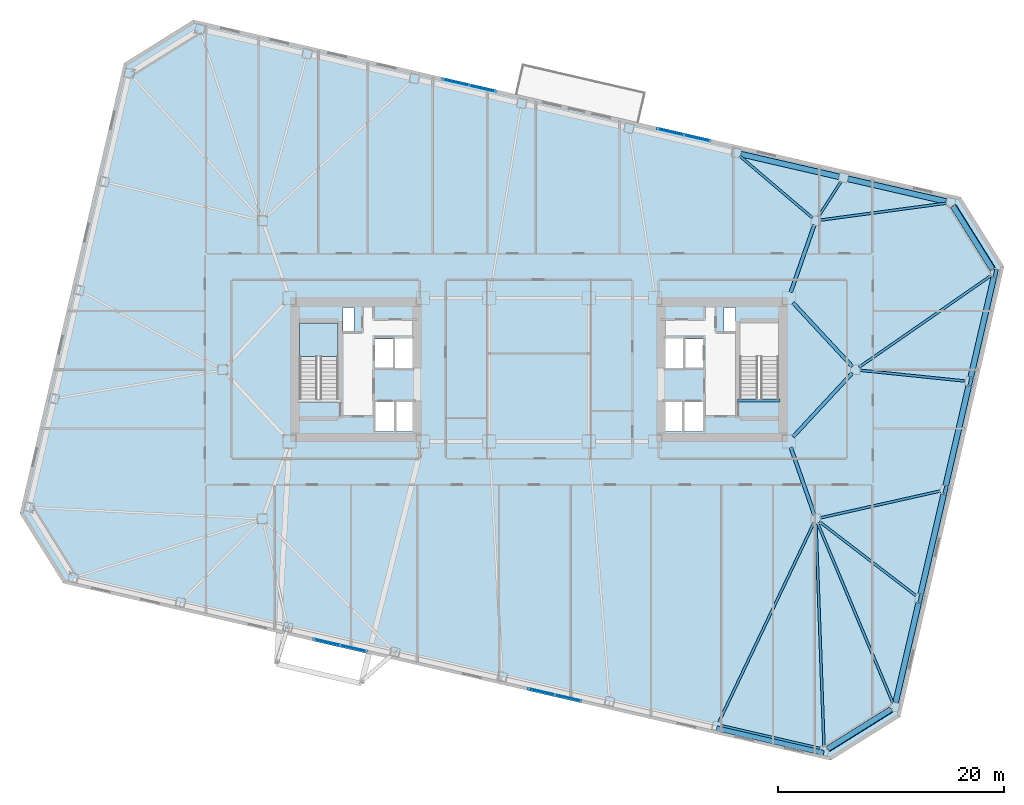
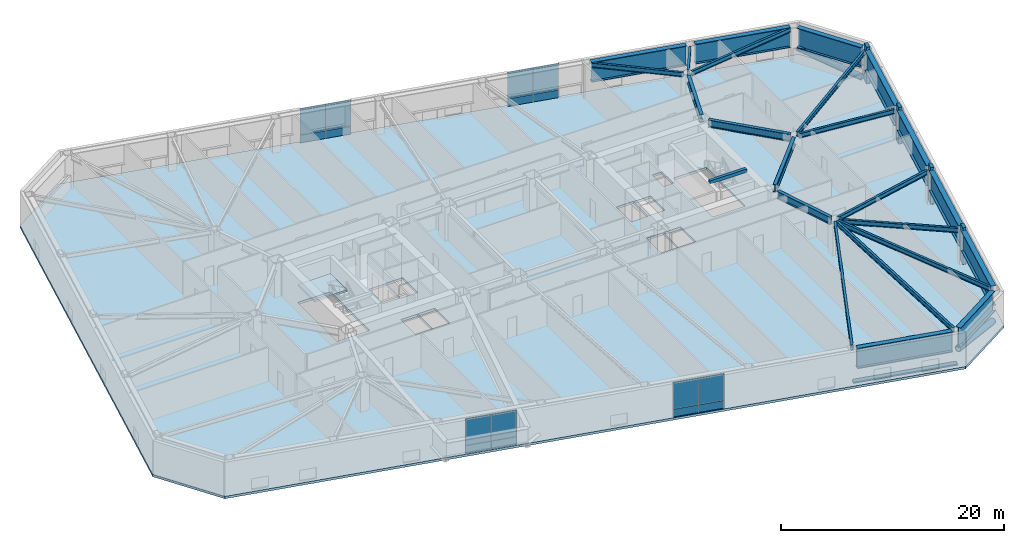
# One storey, part 8 of 20: 24 beams, 16 plates, 7 members, 2 slabs, 5 elements without a shape of their own.
"""IFC4 building model written with IfcOpenShell, lengths in metres."""

import ifcopenshell
import ifcopenshell.guid

model = None  # the IFC model being written
_history = None  # IfcOwnerHistory: only IFC2X3 demands one
_inside = {}  # id of a spatial element -> (the spatial element, [elements in it])
_under = {}  # id of a project, library or spatial element -> (it, [spatial elements below it])
_declared = {}  # id of a project -> (the project, [libraries it declares])
_typed = {}  # id of a type object -> (the type object, [elements of that type])
_made_of = {}  # id of a material, layer set ... -> (it, [elements and type objects made of it])


def new_model(schema):
    """Start an empty IFC model of exactly this schema.

    Asked for "IFC4X3", IfcOpenShell would pick the latest addendum, in which some entities
    have other attributes; the version numbers below select the first issue.
    IFC2X3 requires an IfcOwnerHistory on every rooted entity: one is made here for all.
    """
    global model, _history
    if schema == "IFC4X3":
        model = ifcopenshell.file(schema_version=(4, 3, 0, 0))
    else:
        model = ifcopenshell.file(schema=schema)
    _inside.clear()
    _under.clear()
    _declared.clear()
    _typed.clear()
    _made_of.clear()
    _history = None
    if model.schema == "IFC2X3":
        org = make("IfcOrganization", Name="unknown")
        user = make(
            "IfcPersonAndOrganization",
            ThePerson=make("IfcPerson", FamilyName="unknown"),
            TheOrganization=org,
        )
        app = make(
            "IfcApplication",
            ApplicationDeveloper=org,
            Version="unknown",
            ApplicationFullName="unknown",
            ApplicationIdentifier="unknown",
        )
        _history = make(
            "IfcOwnerHistory",
            OwningUser=user,
            OwningApplication=app,
            ChangeAction="ADDED",
            CreationDate=0,
        )
    return model


def make(cls, **values):
    """One entity of the class cls with the attributes given. An attribute that is None is left unset."""
    return model.create_entity(
        cls, **{name: value for name, value in values.items() if value is not None}
    )


def rooted(cls, **values):
    """An entity with a GlobalId (a new one), such as an element, a storey or a relation."""
    return make(cls, GlobalId=ifcopenshell.guid.new(), OwnerHistory=_history, **values)


def si_unit(unit_type, name, prefix=None):
    """IfcSIUnit, for example si_unit("LENGTHUNIT", "METRE", prefix="MILLI")."""
    return make("IfcSIUnit", UnitType=unit_type, Prefix=prefix, Name=name)


def assignment(units):
    """IfcUnitAssignment: the units of a project."""
    return None if units is None else make("IfcUnitAssignment", Units=units)


def point(xyz):
    """IfcCartesianPoint."""
    return None if xyz is None else make("IfcCartesianPoint", Coordinates=xyz)


def direction(xyz):
    """IfcDirection."""
    return None if xyz is None else make("IfcDirection", DirectionRatios=xyz)


def frame(location, z_axis=None, x_axis=None):
    """IfcAxis2Placement3D, a coordinate frame: its origin and axes. An axis left out is left unset."""
    return make(
        "IfcAxis2Placement3D",
        Location=point(location),
        Axis=direction(z_axis),
        RefDirection=direction(x_axis),
    )


def frame_2d(location, x_axis=None):
    """IfcAxis2Placement2D, a coordinate frame in the plane: its origin and x axis."""
    return make(
        "IfcAxis2Placement2D", Location=point(location), RefDirection=direction(x_axis)
    )


def origin():
    """The frame at (0, 0, 0) with its axes left unset."""
    return frame((0.0, 0.0, 0.0))


def origin_2d():
    """The frame at (0, 0) in the plane with its x axis left unset."""
    return frame_2d((0.0, 0.0))


def place(relative_to, where):
    """IfcLocalPlacement: puts the frame where relative to a parent placement (None: the world)."""
    return make(
        "IfcLocalPlacement", PlacementRelTo=relative_to, RelativePlacement=where
    )


def context(
    kind, dimensions, precision=None, world=None, true_north=None, identifier=None
):
    """IfcGeometricRepresentationContext, for example the 3D "Model" context."""
    return make(
        "IfcGeometricRepresentationContext",
        ContextIdentifier=identifier,
        ContextType=kind,
        CoordinateSpaceDimension=dimensions,
        Precision=precision,
        WorldCoordinateSystem=world,
        TrueNorth=true_north,
    )


def subcontext(parent, identifier, kind, view, scale=None):
    """IfcGeometricRepresentationSubContext, for example "Body" below "Model"."""
    return make(
        "IfcGeometricRepresentationSubContext",
        ContextIdentifier=identifier,
        ContextType=kind,
        ParentContext=parent,
        TargetScale=scale,
        TargetView=view,
    )


def project(units=None, contexts=None):
    """IfcProject with its units and contexts."""
    return rooted(
        "IfcProject",
        Name="project",
        RepresentationContexts=contexts,
        UnitsInContext=assignment(units),
    )


def spatial(cls, under=None, at=None, **own):
    """A site, building, storey or space (cls), placed at a placement, below another one or the project."""
    s = rooted(cls, ObjectPlacement=at, **own)
    if under is not None:
        _under.setdefault(under.id(), (under, []))[1].append(s)
    return s


def polyline(points):
    """IfcPolyline through the points."""
    return make("IfcPolyline", Points=[point(p) for p in points])


def profile(cls, at=None, kind="AREA", **sizes):
    """A parametric profile (cls). Its sizes go by their IFC names, for example OverallWidth=200.0."""
    return make(cls, ProfileType=kind, Position=at, **sizes)


def rectangle(**sizes):
    """IfcRectangleProfileDef."""
    return profile("IfcRectangleProfileDef", **sizes)


def hollow_circle(**sizes):
    """IfcCircleHollowProfileDef."""
    return profile("IfcCircleHollowProfileDef", **sizes)


def i_section(**sizes):
    """IfcIShapeProfileDef."""
    return profile("IfcIShapeProfileDef", **sizes)


def outline(outer, holes=None, kind="AREA"):
    """IfcArbitraryClosedProfileDef: a profile drawn as a closed curve; with holes, ...WithVoids."""
    if holes is None:
        return make("IfcArbitraryClosedProfileDef", ProfileType=kind, OuterCurve=outer)
    return make(
        "IfcArbitraryProfileDefWithVoids",
        ProfileType=kind,
        OuterCurve=outer,
        InnerCurves=holes,
    )


def extrude(swept, where, along, depth):
    """IfcExtrudedAreaSolid: the profile swept, set in the frame where, extruded along a direction by depth."""
    return make(
        "IfcExtrudedAreaSolid",
        SweptArea=swept,
        Position=where,
        ExtrudedDirection=direction(along),
        Depth=depth,
    )


def shape(context_of_items, identifier, shape_type, items):
    """IfcShapeRepresentation: the items that make up one representation, for example the "Body"."""
    return make(
        "IfcShapeRepresentation",
        ContextOfItems=context_of_items,
        RepresentationIdentifier=identifier,
        RepresentationType=shape_type,
        Items=items,
    )


def material(Name=None, Category=None):
    """IfcMaterial."""
    return make("IfcMaterial", Name=Name, Category=Category)


def layer(
    of_material, thickness, ventilated=None, Name=None, Category=None, Priority=None
):
    """IfcMaterialLayer: one layer of a wall or slab, of a material (None: an air gap)."""
    return make(
        "IfcMaterialLayer",
        Material=of_material,
        LayerThickness=thickness,
        IsVentilated=ventilated,
        Name=Name,
        Category=Category,
        Priority=Priority,
    )


def layer_set(layers, Name=None):
    """IfcMaterialLayerSet."""
    return make("IfcMaterialLayerSet", MaterialLayers=layers, LayerSetName=Name)


def material_profile(
    of_material, cross_section, Name=None, Category=None, Priority=None
):
    """IfcMaterialProfile: a cross section and its material."""
    return make(
        "IfcMaterialProfile",
        Name=Name,
        Material=of_material,
        Profile=cross_section,
        Priority=Priority,
        Category=Category,
    )


def profile_set(profiles, Name=None, composite=None):
    """IfcMaterialProfileSet."""
    return make(
        "IfcMaterialProfileSet",
        Name=Name,
        MaterialProfiles=profiles,
        CompositeProfile=composite,
    )


def made_of(thing, what):
    """Note that an element or type object is made of a material, layer set ...; save() writes the relation."""
    if what is not None:
        _made_of.setdefault(what.id(), (what, []))[1].append(thing)
    return thing


def type_object(cls, material=None, **own):
    """A type object (cls), such as IfcWallType, which elements share."""
    return made_of(rooted(cls, **own), material)


def element(
    cls,
    number,
    at=None,
    inside=None,
    cuts=None,
    type_object=None,
    material=None,
    context=None,
    identifier="Body",
    shape_type=None,
    held_by="IfcProductDefinitionShape",
    body=None,
    shapes=None,
    **own,
):
    """One element of the class cls, such as IfcWall. Its Tag is "e" and its number.

    at: its placement. inside: the storey or other place that contains it. cuts: it is an
    opening in that element (IfcRelVoidsElement). A single representation is given by context,
    identifier, shape_type and body (its items); several are given by shapes. held_by: the class
    of the entity that holds the representations. save() writes the other relations.
    """
    e = rooted(cls, Tag="e%d" % number, ObjectPlacement=at, **own)
    if body is not None:
        shapes = [shape(context, identifier, shape_type, body)]
    if shapes is not None:
        e.Representation = make(held_by, Representations=shapes)
    if inside is not None:
        _inside.setdefault(inside.id(), (inside, []))[1].append(e)
    if cuts is not None:
        rooted(
            "IfcRelVoidsElement", RelatingBuildingElement=cuts, RelatedOpeningElement=e
        )
    if type_object is not None:
        _typed.setdefault(type_object.id(), (type_object, []))[1].append(e)
    return made_of(e, material)


def aggregate(whole, parts):
    """IfcRelAggregates: a whole, such as a stair, and the parts it consists of."""
    return rooted("IfcRelAggregates", RelatingObject=whole, RelatedObjects=parts)


def save(model, path):
    """Write the relations noted so far, then the file.

    IfcRelAggregates (storeys below a building ...), IfcRelContainedInSpatialStructure (elements
    in a storey), IfcRelDefinesByType, IfcRelAssociatesMaterial and IfcRelDeclares: one each for
    every whole, place, type object, material and project.
    """
    for whole, parts in _under.values():
        aggregate(whole, parts)
    for where, things in _inside.values():
        rooted(
            "IfcRelContainedInSpatialStructure",
            RelatedElements=things,
            RelatingStructure=where,
        )
    for kind, things in _typed.values():
        rooted("IfcRelDefinesByType", RelatedObjects=things, RelatingType=kind)
    for what, things in _made_of.values():
        rooted("IfcRelAssociatesMaterial", RelatedObjects=things, RelatingMaterial=what)
    for by, libraries in _declared.values():
        rooted("IfcRelDeclares", RelatingContext=by, RelatedDefinitions=libraries)
    model.write(path)


model = new_model("IFC4")

# Units and contexts
model_context = context("Model", 3, precision=1e-05, world=origin(), true_north=direction((0.0, 1.0)))
body_context = subcontext(model_context, "Body", "Model", "MODEL_VIEW")
ifc_project = project(units=[si_unit("LENGTHUNIT", "METRE"), si_unit("AREAUNIT", "SQUARE_METRE"), si_unit("VOLUMEUNIT", "CUBIC_METRE"), si_unit("PLANEANGLEUNIT", "RADIAN"), si_unit("MASSUNIT", "GRAM", prefix="KILO")], contexts=[model_context])

# Site, building, storey
site_placement = place(None, origin())
site = spatial("IfcSite", under=ifc_project, at=site_placement, CompositionType="ELEMENT")
building_placement = place(site_placement, origin())
building = spatial("IfcBuilding", under=site, at=building_placement, Name="Tavrogorsk Clinical Tower", CompositionType="ELEMENT")
storey_placement = place(building_placement, frame((0.0, 0.0, 39.39990234375)))
storey = spatial("IfcBuildingStorey", under=building, at=storey_placement, Name="L07", CompositionType="ELEMENT", Elevation=39.39990234375)

# Members
ifc_material_1 = material(Name="Anodised aluminium alloy AW-6063", Category="aluminium")
ifc_material_profile_1 = material_profile(ifc_material_1, rectangle(XDim=0.449951171875, YDim=0.1201171875, at=origin_2d()), Name="ALU-SUNSHADE-450x120")
ifc_profile_set_1 = profile_set([ifc_material_profile_1], Name="Anodised aluminium alloy AW-6063")
member_type_1 = type_object("IfcMemberType", Name="ChicagoSunshade_450x120", PredefinedType="USERDEFINED", material=ifc_profile_set_1)
member_placement = place(storey_placement, frame((15.700439453125, -31.739013671875, 0.18017578125), z_axis=(0.97437219846, -0.224941812182, 0.0), x_axis=(0.224941812182, 0.97437219846, 0.0)))
element("IfcMember", 1, at=member_placement, inside=storey, type_object=member_type_1, Name="L07 South Aluminium Sunshade S7", ObjectType="SUNSHADE", PredefinedType="USERDEFINED", context=body_context, shape_type="SweptSolid", body=[
    extrude(rectangle(XDim=0.449951171875, YDim=0.1201171875, at=origin_2d()), origin(), (0.0, 0.0, 1.0), 9.74853515625),
])
ifc_material_2 = material(Name="Structural steel S440", Category="steel")
ifc_material_profile_2 = material_profile(ifc_material_2, hollow_circle(Radius=0.304931640625, WallThickness=0.02490234375, at=origin_2d()), Name="CHS-610x25")
ifc_profile_set_2 = profile_set([ifc_material_profile_2], Name="Structural steel S440")
member_type_2 = type_object("IfcMemberType", Name="ExoBrace_CHS610", PredefinedType="BRACE", material=ifc_profile_set_2)
for number, where, z_axis, x_axis, name in (
    (2, (31.134521484375, -30.0732421875, 0.365234375), (-0.837159026748, -0.523104776539, 0.159769073029), (0.5299118025, -0.848052758719, 0.0), "L07 Corner Exoskeleton Brace S8-E1"),
    (3, (40.134765625, 8.9111328125, 0.365234375), (-0.523104776539, 0.837159026748, 0.159769073029), (-0.848052758719, -0.5299118025, 0.0), "L07 Corner Exoskeleton Brace E5-N1"),
):
    element("IfcMember", number, at=place(storey_placement, frame(where, z_axis=z_axis, x_axis=x_axis)), inside=storey, type_object=member_type_2, Name=name, PredefinedType="BRACE", context=body_context, shape_type="SweptSolid", body=[
        extrude(hollow_circle(Radius=0.304931640625, WallThickness=0.02490234375, at=origin_2d()), origin(), (0.0, 0.0, 1.0), 6.63330078125),
    ])

# Beams
ifc_material_3 = material(Name="Structural steel S355", Category="steel")
ifc_material_profile_3 = material_profile(ifc_material_3, i_section(OverallWidth=0.219970703125, OverallDepth=0.5, WebThickness=0.012939453125, FlangeThickness=0.02001953125, at=origin_2d()), Name="B-500x220x13x20")
ifc_profile_set_3 = profile_set([ifc_material_profile_3], Name="Structural steel S355")
beam_type_1 = type_object("IfcBeamType", Name="FloorBeam_B500", PredefinedType="BEAM", material=ifc_profile_set_3)
beam_1_placement = place(storey_placement, frame((24.323486328125, -13.570068359375, 3.489990234375), z_axis=(-0.430503237889, -0.90258903282, 0.0), x_axis=(0.90258903282, -0.430503237889, 0.0)))
element("IfcBeam", 4, at=beam_1_placement, inside=storey, type_object=beam_type_1, Name="L07 Radial Floor Beam S7", PredefinedType="BEAM", context=body_context, shape_type="SweptSolid", body=[
    extrude(i_section(OverallWidth=0.219970703125, OverallDepth=0.5, WebThickness=0.012939453125, FlangeThickness=0.02001953125, at=origin_2d()), origin(), (0.0, 0.0, 1.0), 19.527587890625),
])
beam_2_placement = place(storey_placement, frame((24.5146484375, -13.609619140625, 3.489990234375), z_axis=(0.035968399295, -0.999352927775, 0.0), x_axis=(0.999352927775, 0.035968399295, 0.0)))
element("IfcBeam", 5, at=beam_2_placement, inside=storey, type_object=beam_type_1, Name="L07 Radial Floor Beam S8", PredefinedType="BEAM", context=body_context, shape_type="SweptSolid", body=[
    extrude(i_section(OverallWidth=0.219970703125, OverallDepth=0.5, WebThickness=0.012939453125, FlangeThickness=0.02001953125, at=origin_2d()), origin(), (0.0, 0.0, 1.0), 19.751953125),
])
beam_3_placement = place(storey_placement, frame((24.90625, 13.254638671875, 3.489990234375), z_axis=(0.991091561022, 0.133182272357, 0.0), x_axis=(-0.133182272357, 0.991091561022, 0.0)))
element("IfcBeam", 6, at=beam_3_placement, inside=storey, type_object=beam_type_1, Name="L07 Radial Floor Beam N1", PredefinedType="BEAM", context=body_context, shape_type="SweptSolid", body=[
    extrude(i_section(OverallWidth=0.219970703125, OverallDepth=0.5, WebThickness=0.012939453125, FlangeThickness=0.02001953125, at=origin_2d()), origin(), (0.0, 0.0, 1.0), 11.24072265625),
])
beam_4_placement = place(storey_placement, frame((24.722412109375, 13.54443359375, 3.489990234375), z_axis=(0.54237908978, 0.840133872052, 0.0), x_axis=(-0.840133872052, 0.54237908978, 0.0)))
element("IfcBeam", 7, at=beam_4_placement, inside=storey, type_object=beam_type_1, Name="L07 Radial Floor Beam N2", PredefinedType="BEAM", context=body_context, shape_type="SweptSolid", body=[
    extrude(i_section(OverallWidth=0.219970703125, OverallDepth=0.5, WebThickness=0.012939453125, FlangeThickness=0.02001953125, at=origin_2d()), origin(), (0.0, 0.0, 1.0), 3.70361328125),
])
beam_5_placement = place(storey_placement, frame((24.187744140625, 13.465576171875, 3.489990234375), z_axis=(-0.761805700094, 0.647805584496, 0.0), x_axis=(-0.647805584496, -0.761805700094, 0.0)))
element("IfcBeam", 8, at=beam_5_placement, inside=storey, type_object=beam_type_1, Name="L07 Radial Floor Beam N3", PredefinedType="BEAM", context=body_context, shape_type="SweptSolid", body=[
    extrude(i_section(OverallWidth=0.219970703125, OverallDepth=0.5, WebThickness=0.012939453125, FlangeThickness=0.02001953125, at=origin_2d()), origin(), (0.0, 0.0, 1.0), 8.431396484375),
])
beam_6_placement = place(storey_placement, frame((24.658447265625, -13.578125, 3.489990234375), z_axis=(0.386243430459, -0.922396884441, 0.0), x_axis=(0.922396884441, 0.386243430459, 0.0)))
element("IfcBeam", 9, at=beam_6_placement, inside=storey, type_object=beam_type_1, Name="L07 Radial Floor Beam E1", PredefinedType="BEAM", context=body_context, shape_type="SweptSolid", body=[
    extrude(i_section(OverallWidth=0.219970703125, OverallDepth=0.5, WebThickness=0.012939453125, FlangeThickness=0.02001953125, at=origin_2d()), origin(), (0.0, 0.0, 1.0), 17.243408203125),
])
beam_7_placement = place(storey_placement, frame((24.825439453125, -13.449462890625, 3.489990234375), z_axis=(0.7934457884, -0.608640929342, 0.0), x_axis=(0.608640929342, 0.7934457884, 0.0)))
element("IfcBeam", 10, at=beam_7_placement, inside=storey, type_object=beam_type_1, Name="L07 Radial Floor Beam E2", PredefinedType="BEAM", context=body_context, shape_type="SweptSolid", body=[
    extrude(i_section(OverallWidth=0.219970703125, OverallDepth=0.5, WebThickness=0.012939453125, FlangeThickness=0.02001953125, at=origin_2d()), origin(), (0.0, 0.0, 1.0), 10.769287109375),
])
beam_8_placement = place(storey_placement, frame((24.900146484375, -13.1103515625, 3.489990234375), z_axis=(0.975844140255, 0.218467878484, 0.0), x_axis=(-0.218467878484, 0.975844140255, 0.0)))
element("IfcBeam", 11, at=beam_8_placement, inside=storey, type_object=beam_type_1, Name="L07 Radial Floor Beam E3", PredefinedType="BEAM", context=body_context, shape_type="SweptSolid", body=[
    extrude(i_section(OverallWidth=0.219970703125, OverallDepth=0.5, WebThickness=0.012939453125, FlangeThickness=0.02001953125, at=origin_2d()), origin(), (0.0, 0.0, 1.0), 10.876708984375),
])
beam_9_placement = place(storey_placement, frame((28.407958984375, -0.041748046875, 3.489990234375), z_axis=(0.994791610226, -0.101929643501, 0.0), x_axis=(0.101929643501, 0.994791610226, 0.0)))
element("IfcBeam", 12, at=beam_9_placement, inside=storey, type_object=beam_type_1, Name="L07 Radial Floor Beam E4", PredefinedType="BEAM", context=body_context, shape_type="SweptSolid", body=[
    extrude(i_section(OverallWidth=0.219970703125, OverallDepth=0.5, WebThickness=0.012939453125, FlangeThickness=0.02001953125, at=origin_2d()), origin(), (0.0, 0.0, 1.0), 9.365234375),
])
beam_10_placement = place(storey_placement, frame((28.3369140625, 0.233642578125, 3.489990234375), z_axis=(0.82154295725, 0.570146620961, 0.0), x_axis=(-0.570146620961, 0.82154295725, 0.0)))
element("IfcBeam", 13, at=beam_10_placement, inside=storey, type_object=beam_type_1, Name="L07 Radial Floor Beam E5", PredefinedType="BEAM", context=body_context, shape_type="SweptSolid", body=[
    extrude(i_section(OverallWidth=0.219970703125, OverallDepth=0.5, WebThickness=0.012939453125, FlangeThickness=0.02001953125, at=origin_2d()), origin(), (0.0, 0.0, 1.0), 14.212646484375),
])

# Members
ifc_material_4 = material(Name="Precast concrete B45 with limestone cladding", Category="masonry")
ifc_material_profile_4 = material_profile(ifc_material_4, rectangle(XDim=0.320068359375, YDim=0.719970703125, at=origin_2d()), Name="LIMESTONE-FIN-320x720")
ifc_profile_set_4 = profile_set([ifc_material_profile_4], Name="Precast concrete B45 with limestone cladding")
member_type_3 = type_object("IfcMemberType", Name="LimestonePleatFin_320x720", PredefinedType="USERDEFINED", material=ifc_profile_set_4)
for number, where, z_axis, x_axis, name in (
    (14, (33.772216796875, -20.2705078125, 0.0), (0.0, 0.0, 1.0), (0.974370064785, -0.224951054344, 0.0), "L07 E Pleated Stone Fin 1"),
    (15, (35.990234375, -10.6630859375, 0.0), (0.0, 0.0, 1.0), (0.974370064785, -0.224951054344, 0.0), "L07 E Pleated Stone Fin 2"),
    (16, (38.208251953125, -1.055908203125, 0.0), (0.0, 0.0, 1.0), (0.974370064785, -0.224951054344, 0.0), "L07 E Pleated Stone Fin 3"),
    (17, (40.42626953125, 8.551513671875, 0.0), (0.0, 0.0, 1.0), (0.974370064785, -0.224951054344, 0.0), "L07 E Pleated Stone Fin 4"),
):
    element("IfcMember", number, at=place(storey_placement, frame(where, z_axis=z_axis, x_axis=x_axis)), inside=storey, type_object=member_type_3, Name=name, ObjectType="FIN", PredefinedType="USERDEFINED", context=body_context, shape_type="SweptSolid", body=[
        extrude(rectangle(XDim=0.320068359375, YDim=0.719970703125, at=origin_2d()), origin(), (0.0, 0.0, 1.0), 4.0),
    ])

# Beams
ifc_material_5 = material(Name="Structural steel S390", Category="steel")
ifc_material_profile_5 = material_profile(ifc_material_5, i_section(OverallWidth=0.320068359375, OverallDepth=0.800048828125, WebThickness=0.02001953125, FlangeThickness=0.033935546875, at=origin_2d()), Name="B-800x320x20x34")
ifc_profile_set_5 = profile_set([ifc_material_profile_5], Name="Structural steel S390")
beam_type_2 = type_object("IfcBeamType", Name="PrimaryGirder_B800", PredefinedType="USERDEFINED", material=ifc_profile_set_5)
for number, where, z_axis, x_axis, name in (
    (18, (24.364501953125, -12.81298828125, 3.340087890625), (-0.330668611543, 0.943746930771, 0.0), (-0.943746930771, -0.330668611543, 0.0), "L07 Spine Link Girder OPG-2"),
    (19, (24.364501953125, 12.81298828125, 3.340087890625), (-0.330668611543, -0.943746930771, 0.0), (0.943746930771, -0.330668611543, 0.0), "L07 Spine Link Girder OPG-4"),
):
    element("IfcBeam", number, at=place(storey_placement, frame(where, z_axis=z_axis, x_axis=x_axis)), inside=storey, type_object=beam_type_2, Name=name, ObjectType="GIRDER", PredefinedType="USERDEFINED", context=body_context, shape_type="SweptSolid", body=[
        extrude(i_section(OverallWidth=0.320068359375, OverallDepth=0.800048828125, WebThickness=0.02001953125, FlangeThickness=0.033935546875, at=origin_2d()), origin(), (0.0, 0.0, 1.0), 6.288330078125),
    ])
for number, where, z_axis, x_axis, name in (
    (20, (27.720947265625, -0.30029296875, 3.340087890625), (-0.680671250221, -0.732589004233, 0.0), (0.732589004233, -0.680671250221, 0.0), "L07 Spine Link Girder OPG-7"),
    (21, (27.720947265625, 0.30029296875, 3.340087890625), (-0.680671250221, 0.732589004233, 0.0), (-0.732589004233, -0.680671250221, 0.0), "L07 Spine Link Girder OPG-8"),
):
    element("IfcBeam", number, at=place(storey_placement, frame(where, z_axis=z_axis, x_axis=x_axis)), inside=storey, type_object=beam_type_2, Name=name, ObjectType="GIRDER", PredefinedType="USERDEFINED", context=body_context, shape_type="SweptSolid", body=[
        extrude(i_section(OverallWidth=0.320068359375, OverallDepth=0.800048828125, WebThickness=0.02001953125, FlangeThickness=0.033935546875, at=origin_2d()), origin(), (0.0, 0.0, 1.0), 7.697998046875),
    ])
ifc_material_6 = material(Name="Concrete B60", Category="concrete")
ifc_material_profile_6 = material_profile(ifc_material_6, rectangle(XDim=0.300048828125, YDim=0.35009765625, at=origin_2d()), Name="RC-SHB-300x350")
ifc_profile_set_6 = profile_set([ifc_material_profile_6], Name="Concrete B60")
beam_type_3 = type_object("IfcBeamType", Name="StairHeaderBeam_RC300x350", PredefinedType="BEAM", material=ifc_profile_set_6)
beam_11_placement = place(storey_placement, frame((17.550048828125, -2.719970703125, 3.8251953125), z_axis=(1.0, 0.0, 0.0), x_axis=(0.0, 1.0, 0.0)))
element("IfcBeam", 22, at=beam_11_placement, inside=storey, type_object=beam_type_3, Name="L08 ST-E Landing Header Beam", PredefinedType="BEAM", context=body_context, shape_type="SweptSolid", body=[
    extrude(rectangle(XDim=0.300048828125, YDim=0.35009765625, at=origin_2d()), origin(), (0.0, 0.0, 1.0), 3.800048828125),
])
ifc_material_7 = material(Name="Structural steel S440", Category="steel")
ifc_material_profile_7 = material_profile(ifc_material_7, i_section(OverallWidth=0.5, OverallDepth=2.199951171875, WebThickness=0.035888671875, FlangeThickness=0.054931640625, at=origin_2d()), Name="DK-2200x500x36x55")
ifc_profile_set_7 = profile_set([ifc_material_profile_7], Name="Structural steel S440")
beam_type_4 = type_object("IfcBeamType", Name="TransferGirder_DK2200", PredefinedType="USERDEFINED", material=ifc_profile_set_7)
beam_12_placement = place(storey_placement, frame((16.138427734375, -31.655517578125, 2.64013671875), z_axis=(0.974372766602, -0.224939351168, 0.0), x_axis=(0.224939351168, 0.974372766602, 0.0)))
element("IfcBeam", 23, at=beam_12_placement, inside=storey, type_object=beam_type_4, Name="L07 Perimeter Spandrel S7-S8", ObjectType="GIRDER", PredefinedType="USERDEFINED", context=body_context, shape_type="SweptSolid", body=[
    extrude(i_section(OverallWidth=0.5, OverallDepth=2.199951171875, WebThickness=0.035888671875, FlangeThickness=0.054931640625, at=origin_2d()), origin(), (0.0, 0.0, 1.0), 8.9326171875),
])
beam_13_placement = place(storey_placement, frame((25.585693359375, -33.540283203125, 2.64013671875), z_axis=(0.848061235793, 0.529898235839, 0.0), x_axis=(-0.529898235839, 0.848061235793, 0.0)))
element("IfcBeam", 24, at=beam_13_placement, inside=storey, type_object=beam_type_4, Name="L07 Perimeter Spandrel S8-E1", ObjectType="GIRDER", PredefinedType="USERDEFINED", context=body_context, shape_type="SweptSolid", body=[
    extrude(i_section(OverallWidth=0.5, OverallDepth=2.199951171875, WebThickness=0.035888671875, FlangeThickness=0.054931640625, at=origin_2d()), origin(), (0.0, 0.0, 1.0), 6.537841796875),
])
beam_14_placement = place(storey_placement, frame((31.56787109375, -29.462158203125, 2.64013671875), z_axis=(0.224971881043, 0.974365256328, 0.0), x_axis=(-0.974365256328, 0.224971881043, 0.0)))
element("IfcBeam", 25, at=beam_14_placement, inside=storey, type_object=beam_type_4, Name="L07 Perimeter Spandrel E1-E2", ObjectType="GIRDER", PredefinedType="USERDEFINED", context=body_context, shape_type="SweptSolid", body=[
    extrude(i_section(OverallWidth=0.5, OverallDepth=2.199951171875, WebThickness=0.035888671875, FlangeThickness=0.054931640625, at=origin_2d()), origin(), (0.0, 0.0, 1.0), 9.044189453125),
])
for number, where, z_axis, x_axis, name in (
    (26, (33.785888671875, -19.85498046875, 2.64013671875), (0.224946252597, 0.974371173343, 0.0), (-0.974371173343, 0.224946252597, 0.0), "L07 Perimeter Spandrel E2-E3"),
    (27, (36.00390625, -10.24755859375, 2.64013671875), (0.224946252597, 0.974371173343, 0.0), (-0.974371173343, 0.224946252597, 0.0), "L07 Perimeter Spandrel E3-E4"),
):
    element("IfcBeam", number, at=place(storey_placement, frame(where, z_axis=z_axis, x_axis=x_axis)), inside=storey, type_object=beam_type_4, Name=name, ObjectType="GIRDER", PredefinedType="USERDEFINED", context=body_context, shape_type="SweptSolid", body=[
        extrude(i_section(OverallWidth=0.5, OverallDepth=2.199951171875, WebThickness=0.035888671875, FlangeThickness=0.054931640625, at=origin_2d()), origin(), (0.0, 0.0, 1.0), 9.0439453125),
    ])
beam_15_placement = place(storey_placement, frame((38.221923828125, -0.640380859375, 2.64013671875), z_axis=(0.224971881043, 0.974365256328, 0.0), x_axis=(-0.974365256328, 0.224971881043, 0.0)))
element("IfcBeam", 28, at=beam_15_placement, inside=storey, type_object=beam_type_4, Name="L07 Perimeter Spandrel E4-E5", ObjectType="GIRDER", PredefinedType="USERDEFINED", context=body_context, shape_type="SweptSolid", body=[
    extrude(i_section(OverallWidth=0.5, OverallDepth=2.199951171875, WebThickness=0.035888671875, FlangeThickness=0.054931640625, at=origin_2d()), origin(), (0.0, 0.0, 1.0), 9.044189453125),
])
beam_16_placement = place(storey_placement, frame((40.132080078125, 8.91552734375, 2.64013671875), z_axis=(-0.529925092475, 0.848044454239, 0.0), x_axis=(-0.848044454239, -0.529925092475, 0.0)))
element("IfcBeam", 29, at=beam_16_placement, inside=storey, type_object=beam_type_4, Name="L07 Perimeter Spandrel E5-N1", ObjectType="GIRDER", PredefinedType="USERDEFINED", context=body_context, shape_type="SweptSolid", body=[
    extrude(i_section(OverallWidth=0.5, OverallDepth=2.199951171875, WebThickness=0.035888671875, FlangeThickness=0.054931640625, at=origin_2d()), origin(), (0.0, 0.0, 1.0), 6.537841796875),
])
for number, where, z_axis, x_axis, name in (
    (30, (36.0537109375, 14.897705078125, 2.64013671875), (-0.974366775889, 0.224965299645, 0.0), (-0.224965299645, -0.974366775889, 0.0), "L07 Perimeter Spandrel N1-N2"),
    (31, (26.554931640625, 17.090576171875, 2.64013671875), (-0.974366775889, 0.224965299645, 0.0), (-0.224965299645, -0.974366775889, 0.0), "L07 Perimeter Spandrel N2-N3"),
):
    element("IfcBeam", number, at=place(storey_placement, frame(where, z_axis=z_axis, x_axis=x_axis)), inside=storey, type_object=beam_type_4, Name=name, ObjectType="GIRDER", PredefinedType="USERDEFINED", context=body_context, shape_type="SweptSolid", body=[
        extrude(i_section(OverallWidth=0.5, OverallDepth=2.199951171875, WebThickness=0.035888671875, FlangeThickness=0.054931640625, at=origin_2d()), origin(), (0.0, 0.0, 1.0), 8.9326171875),
    ])

# Curtain wall, plates
ifc_material_8 = material(Name="Anodised aluminium and triple IGU glazing", Category="aluminium")
ifc_layer_1 = layer(ifc_material_8, 0.179931640625)
ifc_layer_set_1 = layer_set([ifc_layer_1], Name="Anodised aluminium and triple IGU glazing")
curtain_wall_type_1 = type_object("IfcCurtainWallType", Name="CW3_SouthSlot", PredefinedType="NOTDEFINED", material=ifc_layer_set_1)
curtain_wall_1_placement = place(storey_placement, origin())
curtain_wall_1 = element("IfcCurtainWall", 32, at=curtain_wall_1_placement, inside=storey, type_object=curtain_wall_type_1, Name="L07 Curtain Wall CW-L07-S-SLOT-1", PredefinedType="NOTDEFINED")
ifc_material_9 = material(Name="Honed Podolsk limestone spandrel panel", Category="masonry")
ifc_layer_2 = layer(ifc_material_9, 0.080078125)
ifc_layer_set_2 = layer_set([ifc_layer_2], Name="Honed Podolsk limestone spandrel panel")
plate_type_1 = type_object("IfcPlateType", Name="CwSpandrelStonePanel_80", PredefinedType="CURTAIN_PANEL", material=ifc_layer_set_2)
plate_1_placement = place(storey_placement, frame((-18.79638671875, -24.113525390625, 0.002197265625), z_axis=(0.0, 0.0, 1.0), x_axis=(0.974370046851, -0.224951132027, 0.0)))
plate_1 = element("IfcPlate", 33, at=plate_1_placement, type_object=plate_type_1, Name="CW-L07-S-SLOT-1 Stone Spandrel Panel 1", PredefinedType="CURTAIN_PANEL", context=body_context, shape_type="SweptSolid", body=[
    extrude(rectangle(XDim=2.39208984375, YDim=0.080078125, at=origin_2d()), origin(), (0.0, 0.0, 1.0), 0.8359375),
])
plate_2_placement = place(storey_placement, frame((-16.442138671875, -24.656982421875, 0.002197265625), z_axis=(0.0, 0.0, 1.0), x_axis=(0.974370046851, -0.224951132027, 0.0)))
plate_2 = element("IfcPlate", 34, at=plate_2_placement, type_object=plate_type_1, Name="CW-L07-S-SLOT-1 Stone Spandrel Panel 2", PredefinedType="CURTAIN_PANEL", context=body_context, shape_type="SweptSolid", body=[
    extrude(rectangle(XDim=2.39208984375, YDim=0.080078125, at=origin_2d()), origin(), (0.0, 0.0, 1.0), 0.8359375),
])

curtain_wall_2_placement = place(storey_placement, origin())
curtain_wall_2 = element("IfcCurtainWall", 35, at=curtain_wall_2_placement, inside=storey, type_object=curtain_wall_type_1, Name="L07 Curtain Wall CW-L07-S-SLOT-2", PredefinedType="NOTDEFINED")
plate_3_placement = place(storey_placement, frame((0.201171875, -28.49951171875, 0.002197265625), z_axis=(0.0, 0.0, 1.0), x_axis=(0.974370102963, -0.224950888978, 0.0)))
plate_3 = element("IfcPlate", 36, at=plate_3_placement, type_object=plate_type_1, Name="CW-L07-S-SLOT-2 Stone Spandrel Panel 1", PredefinedType="CURTAIN_PANEL", context=body_context, shape_type="SweptSolid", body=[
    extrude(rectangle(XDim=2.39208984375, YDim=0.080078125, at=origin_2d()), origin(), (0.0, 0.0, 1.0), 0.8359375),
])
plate_4_placement = place(storey_placement, frame((2.55517578125, -29.04296875, 0.002197265625), z_axis=(0.0, 0.0, 1.0), x_axis=(0.974370102963, -0.224950888978, 0.0)))
plate_4 = element("IfcPlate", 37, at=plate_4_placement, type_object=plate_type_1, Name="CW-L07-S-SLOT-2 Stone Spandrel Panel 2", PredefinedType="CURTAIN_PANEL", context=body_context, shape_type="SweptSolid", body=[
    extrude(rectangle(XDim=2.39208984375, YDim=0.080078125, at=origin_2d()), origin(), (0.0, 0.0, 1.0), 0.8359375),
])

ifc_material_10 = material(Name="Anodised aluminium and triple IGU glazing", Category="aluminium")
ifc_layer_3 = layer(ifc_material_10, 0.179931640625)
ifc_layer_set_3 = layer_set([ifc_layer_3], Name="Anodised aluminium and triple IGU glazing")
curtain_wall_type_2 = type_object("IfcCurtainWallType", Name="CW2_NorthSlot", PredefinedType="NOTDEFINED", material=ifc_layer_set_3)
curtain_wall_3_placement = place(storey_placement, origin())
curtain_wall_3 = element("IfcCurtainWall", 38, at=curtain_wall_3_placement, inside=storey, type_object=curtain_wall_type_2, Name="L07 Curtain Wall CW-L07-N-SLOT-1", PredefinedType="NOTDEFINED")
plate_5_placement = place(storey_placement, frame((-5.001220703125, 24.8994140625, 0.002197265625), z_axis=(0.0, 0.0, 1.0), x_axis=(-0.974370102963, 0.224950888978, 0.0)))
plate_5 = element("IfcPlate", 39, at=plate_5_placement, type_object=plate_type_1, Name="CW-L07-N-SLOT-1 Stone Spandrel Panel 1", PredefinedType="CURTAIN_PANEL", context=body_context, shape_type="SweptSolid", body=[
    extrude(rectangle(XDim=2.39208984375, YDim=0.080078125, at=origin_2d()), origin(), (0.0, 0.0, 1.0), 0.8359375),
])
plate_6_placement = place(storey_placement, frame((-7.355224609375, 25.44287109375, 0.002197265625), z_axis=(0.0, 0.0, 1.0), x_axis=(-0.974370102963, 0.224950888978, 0.0)))
plate_6 = element("IfcPlate", 40, at=plate_6_placement, type_object=plate_type_1, Name="CW-L07-N-SLOT-1 Stone Spandrel Panel 2", PredefinedType="CURTAIN_PANEL", context=body_context, shape_type="SweptSolid", body=[
    extrude(rectangle(XDim=2.39208984375, YDim=0.080078125, at=origin_2d()), origin(), (0.0, 0.0, 1.0), 0.8359375),
])

curtain_wall_4_placement = place(storey_placement, origin())
curtain_wall_4 = element("IfcCurtainWall", 41, at=curtain_wall_4_placement, inside=storey, type_object=curtain_wall_type_2, Name="L07 Curtain Wall CW-L07-N-SLOT-2", PredefinedType="NOTDEFINED")
plate_7_placement = place(storey_placement, frame((13.996337890625, 20.513427734375, 0.002197265625), z_axis=(0.0, 0.0, 1.0), x_axis=(-0.974370046851, 0.224951132027, 0.0)))
plate_7 = element("IfcPlate", 42, at=plate_7_placement, type_object=plate_type_1, Name="CW-L07-N-SLOT-2 Stone Spandrel Panel 1", PredefinedType="CURTAIN_PANEL", context=body_context, shape_type="SweptSolid", body=[
    extrude(rectangle(XDim=2.39208984375, YDim=0.080078125, at=origin_2d()), origin(), (0.0, 0.0, 1.0), 0.8359375),
])
plate_8_placement = place(storey_placement, frame((11.642333984375, 21.05712890625, 0.002197265625), z_axis=(0.0, 0.0, 1.0), x_axis=(-0.974370046851, 0.224951132027, 0.0)))
plate_8 = element("IfcPlate", 43, at=plate_8_placement, type_object=plate_type_1, Name="CW-L07-N-SLOT-2 Stone Spandrel Panel 2", PredefinedType="CURTAIN_PANEL", context=body_context, shape_type="SweptSolid", body=[
    extrude(rectangle(XDim=2.39208984375, YDim=0.080078125, at=origin_2d()), origin(), (0.0, 0.0, 1.0), 0.8359375),
])

# Plate
ifc_material_11 = material(Name="Triple low-E argon insulated glass", Category="glass")
ifc_layer_4 = layer(ifc_material_11, 0.048095703125)
ifc_layer_set_4 = layer_set([ifc_layer_4], Name="Triple low-E argon insulated glass")
plate_type_2 = type_object("IfcPlateType", Name="CwVisionGlassPanel_48", PredefinedType="CURTAIN_PANEL", material=ifc_layer_set_4)
plate_9_placement = place(storey_placement, frame((-18.79638671875, -24.113525390625, 0.862060546875), z_axis=(0.0, 0.0, 1.0), x_axis=(0.974370046851, -0.224951132027, 0.0)))
plate_9 = element("IfcPlate", 44, at=plate_9_placement, type_object=plate_type_2, Name="CW-L07-S-SLOT-1 Glazing Panel 1", PredefinedType="CURTAIN_PANEL", context=body_context, shape_type="SweptSolid", body=[
    extrude(rectangle(XDim=2.39208984375, YDim=0.048095703125, at=origin_2d()), origin(), (0.0, 0.0, 1.0), 2.8759765625),
])

plate_10_placement = place(storey_placement, frame((-16.442138671875, -24.656982421875, 0.862060546875), z_axis=(0.0, 0.0, 1.0), x_axis=(0.974370046851, -0.224951132027, 0.0)))
plate_10 = element("IfcPlate", 45, at=plate_10_placement, type_object=plate_type_2, Name="CW-L07-S-SLOT-1 Glazing Panel 2", PredefinedType="CURTAIN_PANEL", context=body_context, shape_type="SweptSolid", body=[
    extrude(rectangle(XDim=2.39208984375, YDim=0.048095703125, at=origin_2d()), origin(), (0.0, 0.0, 1.0), 2.8759765625),
])

aggregate(curtain_wall_1, [plate_1, plate_9, plate_2, plate_10])

plate_11_placement = place(storey_placement, frame((0.201171875, -28.49951171875, 0.862060546875), z_axis=(0.0, 0.0, 1.0), x_axis=(0.974370102963, -0.224950888978, 0.0)))
plate_11 = element("IfcPlate", 46, at=plate_11_placement, type_object=plate_type_2, Name="CW-L07-S-SLOT-2 Glazing Panel 1", PredefinedType="CURTAIN_PANEL", context=body_context, shape_type="SweptSolid", body=[
    extrude(rectangle(XDim=2.39208984375, YDim=0.048095703125, at=origin_2d()), origin(), (0.0, 0.0, 1.0), 2.8759765625),
])

plate_12_placement = place(storey_placement, frame((2.55517578125, -29.04296875, 0.862060546875), z_axis=(0.0, 0.0, 1.0), x_axis=(0.974370102963, -0.224950888978, 0.0)))
plate_12 = element("IfcPlate", 47, at=plate_12_placement, type_object=plate_type_2, Name="CW-L07-S-SLOT-2 Glazing Panel 2", PredefinedType="CURTAIN_PANEL", context=body_context, shape_type="SweptSolid", body=[
    extrude(rectangle(XDim=2.39208984375, YDim=0.048095703125, at=origin_2d()), origin(), (0.0, 0.0, 1.0), 2.8759765625),
])

aggregate(curtain_wall_2, [plate_3, plate_11, plate_4, plate_12])

plate_13_placement = place(storey_placement, frame((-5.001220703125, 24.8994140625, 0.862060546875), z_axis=(0.0, 0.0, 1.0), x_axis=(-0.974370102963, 0.224950888978, 0.0)))
plate_13 = element("IfcPlate", 48, at=plate_13_placement, type_object=plate_type_2, Name="CW-L07-N-SLOT-1 Glazing Panel 1", PredefinedType="CURTAIN_PANEL", context=body_context, shape_type="SweptSolid", body=[
    extrude(rectangle(XDim=2.39208984375, YDim=0.048095703125, at=origin_2d()), origin(), (0.0, 0.0, 1.0), 2.8759765625),
])

plate_14_placement = place(storey_placement, frame((-7.355224609375, 25.44287109375, 0.862060546875), z_axis=(0.0, 0.0, 1.0), x_axis=(-0.974370102963, 0.224950888978, 0.0)))
plate_14 = element("IfcPlate", 49, at=plate_14_placement, type_object=plate_type_2, Name="CW-L07-N-SLOT-1 Glazing Panel 2", PredefinedType="CURTAIN_PANEL", context=body_context, shape_type="SweptSolid", body=[
    extrude(rectangle(XDim=2.39208984375, YDim=0.048095703125, at=origin_2d()), origin(), (0.0, 0.0, 1.0), 2.8759765625),
])

aggregate(curtain_wall_3, [plate_5, plate_13, plate_6, plate_14])

plate_15_placement = place(storey_placement, frame((13.996337890625, 20.513427734375, 0.862060546875), z_axis=(0.0, 0.0, 1.0), x_axis=(-0.974370046851, 0.224951132027, 0.0)))
plate_15 = element("IfcPlate", 50, at=plate_15_placement, type_object=plate_type_2, Name="CW-L07-N-SLOT-2 Glazing Panel 1", PredefinedType="CURTAIN_PANEL", context=body_context, shape_type="SweptSolid", body=[
    extrude(rectangle(XDim=2.39208984375, YDim=0.048095703125, at=origin_2d()), origin(), (0.0, 0.0, 1.0), 2.8759765625),
])

plate_16_placement = place(storey_placement, frame((11.642333984375, 21.05712890625, 0.862060546875), z_axis=(0.0, 0.0, 1.0), x_axis=(-0.974370046851, 0.224951132027, 0.0)))
plate_16 = element("IfcPlate", 51, at=plate_16_placement, type_object=plate_type_2, Name="CW-L07-N-SLOT-2 Glazing Panel 2", PredefinedType="CURTAIN_PANEL", context=body_context, shape_type="SweptSolid", body=[
    extrude(rectangle(XDim=2.39208984375, YDim=0.048095703125, at=origin_2d()), origin(), (0.0, 0.0, 1.0), 2.8759765625),
])

aggregate(curtain_wall_4, [plate_7, plate_15, plate_8, plate_16])

# Stair, slab
ifc_material_12 = material(Name="Concrete B60", Category="concrete")
stair_type = type_object("IfcStairType", Name="CoreStairAssembly", PredefinedType="HALF_TURN_STAIR", material=ifc_material_12)
stair_placement = place(storey_placement, origin())
stair = element("IfcStair", 52, at=stair_placement, inside=storey, type_object=stair_type, Name="L07 ST-W", PredefinedType="HALF_TURN_STAIR")
ifc_material_13 = material(Name="Concrete B60", Category="concrete")
ifc_layer_5 = layer(ifc_material_13, 0.199951171875)
ifc_layer_set_5 = layer_set([ifc_layer_5], Name="Concrete B60")
slab_type_1 = type_object("IfcSlabType", Name="StairLanding_200", PredefinedType="LANDING", material=ifc_layer_set_5)
slab_1_placement = place(storey_placement, frame((0.0, 0.0, 1.800048828125)))
slab_1 = element("IfcSlab", 53, at=slab_1_placement, type_object=slab_type_1, Name="ST-W landing 1", PredefinedType="LANDING", context=body_context, shape_type="SweptSolid", body=[
    extrude(outline(polyline([(-17.800048828125, 1.1650390625), (-17.800048828125, 4.125), (-21.199951171875, 4.125), (-21.199951171875, 1.1650390625), (-17.800048828125, 1.1650390625)])), origin(), (0.0, 0.0, 1.0), 0.199951171875),
])
aggregate(stair, [slab_1])

# Slab
ifc_material_14 = material(Name="Concrete B60", Category="concrete")
ifc_layer_6 = layer(ifc_material_14, 0.260009765625)
ifc_layer_set_6 = layer_set([ifc_layer_6], Name="Concrete B60")
slab_type_2 = type_object("IfcSlabType", Name="WardSlab_260", PredefinedType="FLOOR", material=ifc_layer_set_6)
slab_2_placement = place(storey_placement, frame((0.0, 0.0, -0.260009765625)))
element("IfcSlab", 54, at=slab_2_placement, inside=storey, type_object=slab_type_2, Name="L07 Structural Slab", PredefinedType="FLOOR", context=body_context, shape_type="SweptSolid", body=[
    extrude(outline(polyline([(-42.06689453125, -18.91552734375), (25.749267578125, -34.572265625), (31.98583984375, -30.67529296875), (41.163818359375, 9.0791015625), (37.266845703125, 15.315673828125), (-30.54931640625, 30.97216796875), (-36.785888671875, 27.0751953125), (-45.9638671875, -12.67919921875), (-42.06689453125, -18.91552734375)]), holes=[polyline([(-17.800048828125, -2.8798828125), (-17.800048828125, 4.125), (-21.199951171875, 4.125), (-21.199951171875, -2.8798828125), (-17.800048828125, -2.8798828125)]), polyline([(21.199951171875, -2.8798828125), (21.199951171875, 4.125), (17.800048828125, 4.125), (17.800048828125, -2.8798828125), (21.199951171875, -2.8798828125)]), polyline([(-14.6201171875, 0.169921875), (-12.860107421875, 0.169921875), (-12.860107421875, 2.72998046875), (-14.6201171875, 2.72998046875), (-14.6201171875, 0.169921875)]), polyline([(-14.530029296875, -5.47998046875), (-12.77001953125, -5.47998046875), (-12.77001953125, -2.820068359375), (-14.530029296875, -2.820068359375), (-14.530029296875, -5.47998046875)]), polyline([(-12.72998046875, -5.47998046875), (-10.969970703125, -5.47998046875), (-10.969970703125, -2.820068359375), (-12.72998046875, -2.820068359375), (-12.72998046875, -5.47998046875)]), polyline([(-12.840087890625, 0.1201171875), (-11.080078125, 0.1201171875), (-11.080078125, 2.780029296875), (-12.840087890625, 2.780029296875), (-12.840087890625, 0.1201171875)]), polyline([(12.860107421875, 0.169921875), (14.6201171875, 0.169921875), (14.6201171875, 2.72998046875), (12.860107421875, 2.72998046875), (12.860107421875, 0.169921875)]), polyline([(12.77001953125, -5.47998046875), (14.530029296875, -5.47998046875), (14.530029296875, -2.820068359375), (12.77001953125, -2.820068359375), (12.77001953125, -5.47998046875)]), polyline([(10.969970703125, -5.47998046875), (12.72998046875, -5.47998046875), (12.72998046875, -2.820068359375), (10.969970703125, -2.820068359375), (10.969970703125, -5.47998046875)]), polyline([(11.080078125, 0.1201171875), (12.840087890625, 0.1201171875), (12.840087890625, 2.780029296875), (11.080078125, 2.780029296875), (11.080078125, 0.1201171875)]), polyline([(-17.3798828125, 3.449951171875), (-16.3798828125, 3.449951171875), (-16.3798828125, 5.5), (-17.3798828125, 5.5), (-17.3798828125, 3.449951171875)]), polyline([(16.3798828125, 3.449951171875), (17.3798828125, 3.449951171875), (17.3798828125, 5.5), (16.3798828125, 5.5), (16.3798828125, 3.449951171875)])]), origin(), (0.0, 0.0, 1.0), 0.260009765625),
])

save(model, "model.ifc")
